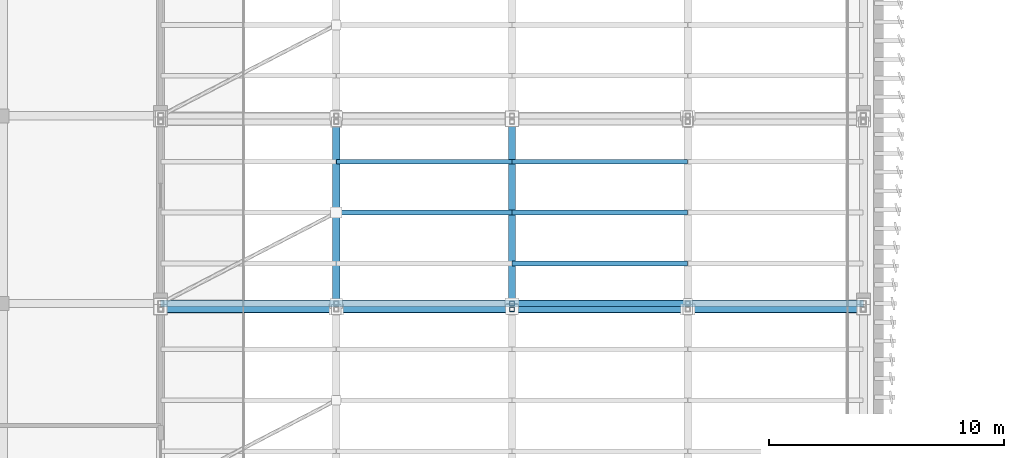
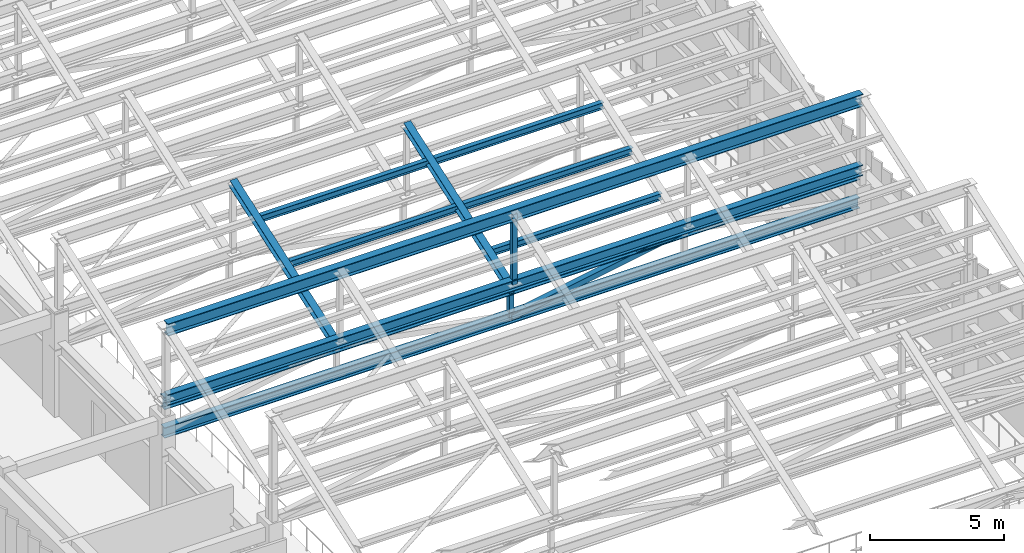
# One storey, part 7 of 76: 14 members.
"""IFC4 building model written with IfcOpenShell, lengths in metres."""

from ifc_helpers import new_model, si_unit, direction, frame, origin, origin_2d, place, context, subcontext, project, spatial, hollow_rectangle, i_section, extrude, material, material_profile, profile_set, type_object, element, save


model = new_model("IFC4")

# Units and contexts
model_context = context("Model", 3, precision=1e-05, world=origin(), true_north=direction((0.0, 1.0)))
body_context = subcontext(model_context, "Body", "Model", "MODEL_VIEW")
ifc_project = project(units=[si_unit("LENGTHUNIT", "METRE"), si_unit("AREAUNIT", "SQUARE_METRE"), si_unit("VOLUMEUNIT", "CUBIC_METRE"), si_unit("PLANEANGLEUNIT", "RADIAN"), si_unit("MASSUNIT", "GRAM", prefix="KILO")], contexts=[model_context])

# Site, building, storey
site_placement = place(None, origin())
site = spatial("IfcSite", under=ifc_project, at=site_placement, CompositionType="ELEMENT")
building_placement = place(site_placement, origin())
building = spatial("IfcBuilding", under=site, at=building_placement, Name="Cinchona Park Media Centre", CompositionType="ELEMENT")
storey_placement = place(building_placement, frame((0.0, 0.0, 15.60009765625)))
storey = spatial("IfcBuildingStorey", under=building, at=storey_placement, Name="L03", CompositionType="ELEMENT", Elevation=15.60009765625)

# Members
ifc_material_1 = material(Name="Steel S355", Category="steel")
ifc_material_profile_1 = material_profile(ifc_material_1, i_section(OverallWidth=0.202880859375, OverallDepth=0.302978515625, WebThickness=0.007568359375, FlangeThickness=0.01318359375, at=origin_2d()), Name="W310X60")
ifc_profile_set_1 = profile_set([ifc_material_profile_1], Name="Steel S355")
member_type_1 = type_object("IfcMemberType", Name="MEMBER-PR01-W310X60", PredefinedType="PURLIN", material=ifc_profile_set_1)
for number, where, z_axis, x_axis, name in (
    (1, (30.389892578125, 33.304931640625, 5.71240234375), (1.0, 0.0, 0.0), (0.0, 1.0, 0.0), "Sawtooth Roof Purlin PR01"),
    (2, (22.89990234375, 35.47509765625, 6.468505859375), (1.0, 0.0, 0.0), (0.0, 1.0, 0.0), "Sawtooth Roof Purlin PR01"),
    (3, (30.389892578125, 35.47509765625, 6.468505859375), (1.0, 0.0, 0.0), (0.0, 1.0, 0.0), "Sawtooth Roof Purlin PR01"),
    (4, (22.89990234375, 37.64501953125, 7.224365234375), (1.0, 0.0, 0.0), (0.0, 1.0, 0.0), "Sawtooth Roof Purlin PR01"),
    (5, (30.389892578125, 37.64501953125, 7.224365234375), (1.0, 0.0, 0.0), (0.0, 1.0, 0.0), "Sawtooth Roof Purlin PR01"),
):
    element("IfcMember", number, at=place(storey_placement, frame(where, z_axis=z_axis, x_axis=x_axis)), inside=storey, type_object=member_type_1, Name=name, PredefinedType="PURLIN", context=body_context, shape_type="SweptSolid", body=[
        extrude(i_section(OverallWidth=0.202880859375, OverallDepth=0.302978515625, WebThickness=0.007568359375, FlangeThickness=0.01318359375, at=origin_2d()), origin(), (0.0, 0.0, 1.0), 7.47021484375),
    ])
ifc_material_2 = material(Name="Steel S355", Category="steel")
ifc_material_profile_2 = material_profile(ifc_material_2, i_section(OverallWidth=0.318115234375, OverallDepth=0.56005859375, WebThickness=0.018310546875, FlangeThickness=0.029296875, at=origin_2d()), Name="W530X219")
ifc_profile_set_2 = profile_set([ifc_material_profile_2], Name="Steel S355")
member_type_2 = type_object("IfcMemberType", Name="MEMBER-TC01-W530X219", PredefinedType="CHORD", material=ifc_profile_set_2)
for number, where, z_axis, x_axis, name in (
    (6, (15.39990234375, 31.35009765625, 8.699951171875), (1.0, 0.0, 0.0), (0.0, 1.0, 0.0), "ROOF TRUSS Ridge Chord V1 Bay 3"),
    (7, (15.39990234375, 31.60009765625, 5.199951171875), (1.0, 0.0, 0.0), (0.0, 1.0, 0.0), "ROOF TRUSS Top Chord V1 B4"),
):
    element("IfcMember", number, at=place(storey_placement, frame(where, z_axis=z_axis, x_axis=x_axis)), inside=storey, type_object=member_type_2, Name=name, PredefinedType="CHORD", context=body_context, shape_type="SweptSolid", body=[
        extrude(i_section(OverallWidth=0.318115234375, OverallDepth=0.56005859375, WebThickness=0.018310546875, FlangeThickness=0.029296875, at=origin_2d()), origin(), (0.0, 0.0, 1.0), 29.960205078125),
    ])
ifc_material_3 = material(Name="Steel S355", Category="steel")
ifc_material_profile_3 = material_profile(ifc_material_3, i_section(OverallWidth=0.285888671875, OverallDepth=0.48193359375, WebThickness=0.0166015625, FlangeThickness=0.02685546875, at=origin_2d()), Name="W460X177")
ifc_profile_set_3 = profile_set([ifc_material_profile_3], Name="Steel S355")
member_type_3 = type_object("IfcMemberType", Name="MEMBER-TC02-W460X177", PredefinedType="CHORD", material=ifc_profile_set_3)
for number, where, z_axis, x_axis, name in (
    (8, (15.39990234375, 31.35009765625, 5.5), (1.0, 0.0, 0.0), (0.0, 1.0, 0.0), "ROOF TRUSS Monitor Sill Chord V1 Bay 3"),
    (9, (15.39990234375, 31.60009765625, 3.849853515625), (1.0, 0.0, 0.0), (0.0, 1.0, 0.0), "ROOF TRUSS Bottom Chord V1 B4"),
):
    element("IfcMember", number, at=place(storey_placement, frame(where, z_axis=z_axis, x_axis=x_axis)), inside=storey, type_object=member_type_3, Name=name, PredefinedType="CHORD", context=body_context, shape_type="SweptSolid", body=[
        extrude(i_section(OverallWidth=0.285888671875, OverallDepth=0.48193359375, WebThickness=0.0166015625, FlangeThickness=0.02685546875, at=origin_2d()), origin(), (0.0, 0.0, 1.0), 29.960205078125),
    ])
ifc_material_4 = material(Name="Steel S355", Category="steel")
ifc_material_profile_4 = material_profile(ifc_material_4, hollow_rectangle(XDim=0.199951171875, YDim=0.199951171875, WallThickness=0.012451171875, at=origin_2d()), Name="200X200X12.5SHS")
ifc_profile_set_4 = profile_set([ifc_material_profile_4], Name="Steel S355")
member_type_4 = type_object("IfcMemberType", Name="MEMBER-TS01-SHS200X200X12.5", PredefinedType="STRUT", material=ifc_profile_set_4)
member_1_placement = place(storey_placement, frame((30.3798828125, 31.35009765625, 5.5), z_axis=(0.0, 0.0, 1.0), x_axis=(1.0, 0.0, 0.0)))
element("IfcMember", 10, at=member_1_placement, inside=storey, type_object=member_type_4, Name="ROOF TRUSS Monitor Post V1 Bay 3", PredefinedType="STRUT", context=body_context, shape_type="SweptSolid", body=[
    extrude(hollow_rectangle(XDim=0.199951171875, YDim=0.199951171875, WallThickness=0.012451171875, at=origin_2d()), origin(), (0.0, 0.0, 1.0), 3.199951171875),
])
member_2_placement = place(storey_placement, frame((30.3798828125, 31.60009765625, 3.849853515625), z_axis=(0.0, 0.0, 1.0), x_axis=(1.0, 0.0, 0.0)))
element("IfcMember", 11, at=member_2_placement, inside=storey, type_object=member_type_4, Name="ROOF TRUSS Vertical Strut TN2", PredefinedType="STRUT", context=body_context, shape_type="SweptSolid", body=[
    extrude(hollow_rectangle(XDim=0.199951171875, YDim=0.199951171875, WallThickness=0.012451171875, at=origin_2d()), origin(), (0.0, 0.0, 1.0), 1.35009765625),
])
ifc_material_5 = material(Name="Steel S355", Category="steel")
ifc_material_profile_5 = material_profile(ifc_material_5, hollow_rectangle(XDim=0.25, YDim=0.25, WallThickness=0.01611328125, at=origin_2d()), Name="250X250X16SHS")
ifc_profile_set_5 = profile_set([ifc_material_profile_5], Name="Steel S355")
member_type_5 = type_object("IfcMemberType", Name="MEMBER-TS02-SHS250X250X16", PredefinedType="STRUT", material=ifc_profile_set_5)
member_3_placement = place(storey_placement, frame((30.3798828125, 31.60009765625, 3.849853515625), z_axis=(0.984140790649, 0.0, 0.177389132082), x_axis=(0.0, 1.0, 0.0)))
element("IfcMember", 12, at=member_3_placement, inside=storey, type_object=member_type_5, Name="ROOF TRUSS Web Diagonal TN3", PredefinedType="STRUT", context=body_context, shape_type="SweptSolid", body=[
    extrude(hollow_rectangle(XDim=0.25, YDim=0.25, WallThickness=0.01611328125, at=origin_2d()), origin(), (0.0, 0.0, 1.0), 7.61083984375),
])
ifc_material_6 = material(Name="Steel S355", Category="steel")
ifc_material_profile_6 = material_profile(ifc_material_6, i_section(OverallWidth=0.304931640625, OverallDepth=0.30810546875, WebThickness=0.010009765625, FlangeThickness=0.015380859375, at=origin_2d()), Name="W310X97")
ifc_profile_set_6 = profile_set([ifc_material_profile_6], Name="Steel S355")
member_type_6 = type_object("IfcMemberType", Name="MEMBER-TS06-W310X97", PredefinedType="STRUT", material=ifc_profile_set_6)
for number, where, z_axis, x_axis, name in (
    (13, (22.889892578125, 31.60009765625, 5.199951171875), (0.0, 0.944334143314, 0.328987880888), (-1.0, 0.0, 0.0), "ROOF TRUSS Sawtooth Rafter V1 Bay 4"),
    (14, (30.3798828125, 31.60009765625, 5.199951171875), (0.0, 0.944334143314, 0.328987880888), (-1.0, 0.0, 0.0), "ROOF TRUSS Sawtooth Rafter V1 Bay 4"),
):
    element("IfcMember", number, at=place(storey_placement, frame(where, z_axis=z_axis, x_axis=x_axis)), inside=storey, type_object=member_type_6, Name=name, PredefinedType="STRUT", context=body_context, shape_type="SweptSolid", body=[
        extrude(i_section(OverallWidth=0.304931640625, OverallDepth=0.30810546875, WebThickness=0.010009765625, FlangeThickness=0.015380859375, at=origin_2d()), origin(), (0.0, 0.0, 1.0), 8.206787109375),
    ])

save(model, "model.ifc")
